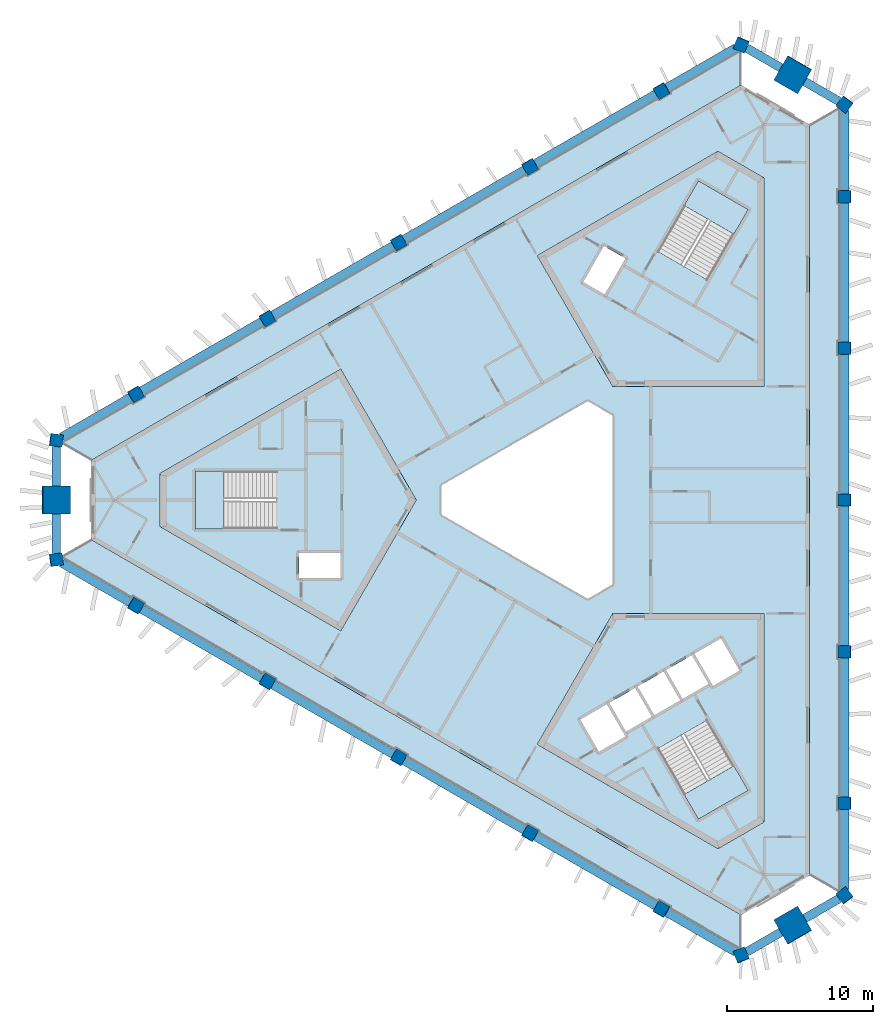
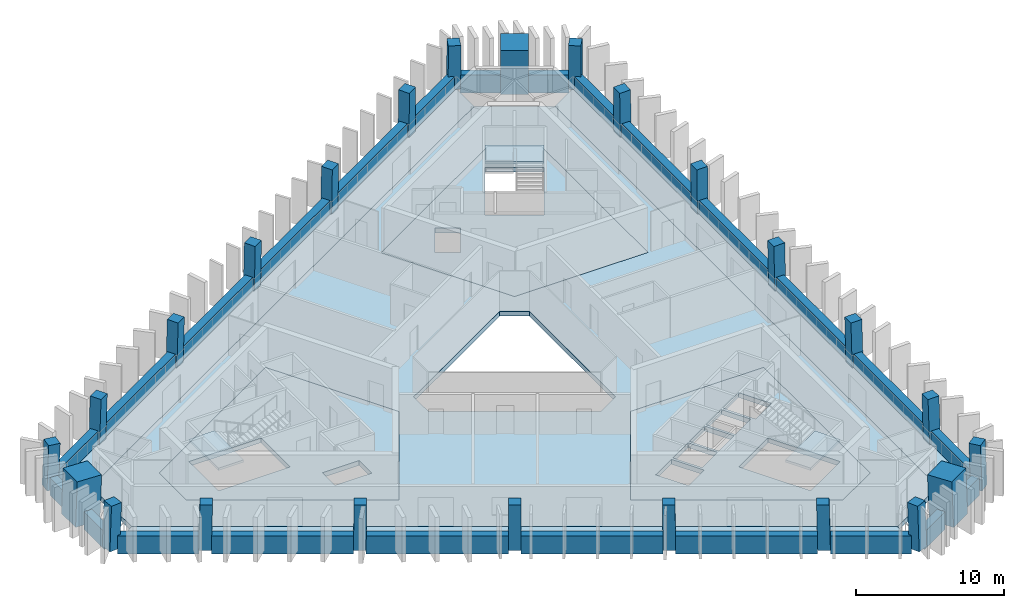
# One storey, part 1 of 9: 24 beams, 24 columns, 10 slabs, 3 elements without a shape of their own.
"""IFC4 building model written with IfcOpenShell, lengths in metres."""

from ifc_helpers import new_model, si_unit, direction, frame, origin, origin_2d, place, context, subcontext, project, spatial, polyline, rectangle, outline, extrude, material, layer, layer_set, material_profile, profile_set, type_object, element, aggregate, save


model = new_model("IFC4")

# Units and contexts
model_context = context("Model", 3, precision=1e-05, world=origin(), true_north=direction((0.0, 1.0)))
body_context = subcontext(model_context, "Body", "Model", "MODEL_VIEW")
ifc_project = project(units=[si_unit("LENGTHUNIT", "METRE"), si_unit("AREAUNIT", "SQUARE_METRE"), si_unit("VOLUMEUNIT", "CUBIC_METRE"), si_unit("PLANEANGLEUNIT", "RADIAN"), si_unit("MASSUNIT", "GRAM", prefix="KILO")], contexts=[model_context])

# Site, building, storey
site_placement = place(None, origin())
site = spatial("IfcSite", under=ifc_project, at=site_placement, CompositionType="ELEMENT")
building_placement = place(site_placement, origin())
building = spatial("IfcBuilding", under=site, at=building_placement, Name="Jabali Bay Hotel Tower and Convention Centre", CompositionType="ELEMENT")
storey_placement = place(building_placement, frame((0.0, 0.0, 209.5)))
storey = spatial("IfcBuildingStorey", under=building, at=storey_placement, Name="L51", CompositionType="ELEMENT", Elevation=209.5)

# Columns
ifc_material_1 = material(Name="Concrete C60", Category="concrete")
ifc_material_profile_1 = material_profile(ifc_material_1, rectangle(XDim=0.85009765625, YDim=0.85009765625, at=origin_2d()), Name="Frame column 850")
ifc_profile_set_1 = profile_set([ifc_material_profile_1], Name="Concrete C60")
column_type_1 = type_object("IfcColumnType", Name="Frame column 850", PredefinedType="COLUMN", material=ifc_profile_set_1)
column_1_placement = place(storey_placement, frame((82.844970703125, 108.115234375, 0.0), z_axis=(-0.008376454378, -0.028163354484, 0.999568237028), x_axis=(0.86585218107, 0.499844611273, 0.021339285781)))
element("IfcColumn", 1, at=column_1_placement, inside=storey, type_object=column_type_1, Name="FC5 F1.1 L51", PredefinedType="COLUMN", context=body_context, shape_type="SweptSolid", body=[
    extrude(rectangle(XDim=0.85009765625, YDim=0.85009765625, at=origin_2d()), origin(), (0.0, 0.0, 1.0), 3.70166015625),
])
column_2_placement = place(storey_placement, frame((73.81591796875, 102.90234375, 0.0), z_axis=(0.000857578916, -0.022824792675, 0.999739112668), x_axis=(0.866060437909, 0.499825470945, 0.010668480848)))
element("IfcColumn", 2, at=column_2_placement, inside=storey, type_object=column_type_1, Name="FC5 F1.2 L51", PredefinedType="COLUMN", context=body_context, shape_type="SweptSolid", body=[
    extrude(rectangle(XDim=0.85009765625, YDim=0.85009765625, at=origin_2d()), origin(), (0.0, 0.0, 1.0), 3.700927734375),
])
column_3_placement = place(storey_placement, frame((64.786865234375, 97.689453125, 0.0), z_axis=(0.010093620709, -0.017482414954, 0.999796221231), x_axis=(-0.499897086036, 0.865849517735, 0.020187025824)))
element("IfcColumn", 3, at=column_3_placement, inside=storey, type_object=column_type_1, Name="FC5 F1.3 L51", PredefinedType="COLUMN", context=body_context, shape_type="SweptSolid", body=[
    extrude(rectangle(XDim=0.85009765625, YDim=0.85009765625, at=origin_2d()), origin(), (0.0, 0.0, 1.0), 3.70068359375),
])
column_4_placement = place(storey_placement, frame((55.758056640625, 92.4765625, 0.0), z_axis=(0.019328516974, -0.012138044789, 0.999739504221), x_axis=(-0.500214302693, 0.865666432488, 0.020181155676)))
element("IfcColumn", 4, at=column_4_placement, inside=storey, type_object=column_type_1, Name="FC5 F1.4 L51", PredefinedType="COLUMN", context=body_context, shape_type="SweptSolid", body=[
    extrude(rectangle(XDim=0.85009765625, YDim=0.85009765625, at=origin_2d()), origin(), (0.0, 0.0, 1.0), 3.700927734375),
])
for number, where, z_axis, x_axis, name in (
    (5, (46.72900390625, 87.263671875, 0.0), (0.02855911485, -0.006793507689, 0.999569019734), (-0.50039805324, 0.86556025987, 0.020179812855), "FC5 F1.5 L51"),
    (6, (46.72900390625, 72.736328125, 0.0), (0.02855911485, 0.006793507689, 0.999569019734), (-0.865324312193, 0.500758709147, 0.021320176848), "FC5 F2.1 L51"),
):
    element("IfcColumn", number, at=place(storey_placement, frame(where, z_axis=z_axis, x_axis=x_axis)), inside=storey, type_object=column_type_1, Name=name, PredefinedType="COLUMN", context=body_context, shape_type="SweptSolid", body=[
        extrude(rectangle(XDim=0.85009765625, YDim=0.85009765625, at=origin_2d()), origin(), (0.0, 0.0, 1.0), 3.70166015625),
    ])
column_5_placement = place(storey_placement, frame((55.758056640625, 67.5234375, 0.0), z_axis=(0.019328516974, 0.012138044789, 0.999739504221), x_axis=(-0.865685889808, 0.500474070789, 0.010660424724)))
element("IfcColumn", 7, at=column_5_placement, inside=storey, type_object=column_type_1, Name="FC5 F2.2 L51", PredefinedType="COLUMN", context=body_context, shape_type="SweptSolid", body=[
    extrude(rectangle(XDim=0.85009765625, YDim=0.85009765625, at=origin_2d()), origin(), (0.0, 0.0, 1.0), 3.700927734375),
])
column_6_placement = place(storey_placement, frame((64.786865234375, 62.310546875, 0.0), z_axis=(0.010093620709, 0.017482414954, 0.999796221231), x_axis=(-0.866025993948, 0.499998977805, 1.48331e-07)))
element("IfcColumn", 8, at=column_6_placement, inside=storey, type_object=column_type_1, Name="FC5 F2.3 L51", PredefinedType="COLUMN", context=body_context, shape_type="SweptSolid", body=[
    extrude(rectangle(XDim=0.85009765625, YDim=0.85009765625, at=origin_2d()), origin(), (0.0, 0.0, 1.0), 3.70068359375),
])
column_7_placement = place(storey_placement, frame((73.81591796875, 57.09765625, 0.0), z_axis=(0.000857578916, 0.022824792675, 0.999739112668), x_axis=(-0.499938578675, -0.865825344647, 0.020196289724)))
element("IfcColumn", 9, at=column_7_placement, inside=storey, type_object=column_type_1, Name="FC5 F2.4 L51", PredefinedType="COLUMN", context=body_context, shape_type="SweptSolid", body=[
    extrude(rectangle(XDim=0.85009765625, YDim=0.85009765625, at=origin_2d()), origin(), (0.0, 0.0, 1.0), 3.700927734375),
])
for number, where, z_axis, x_axis, name in (
    (10, (82.844970703125, 51.884765625, 0.0), (-0.008376454378, 0.028163354484, 0.999568237028), (-0.500229782748, -0.865657085713, 0.020198376324), "FC5 F2.5 L51"),
    (11, (95.426025390625, 59.1484375, 0.0), (-0.020182631348, 0.021369844956, 0.999567902205), (-0.001315292007, -0.999771248084, 0.021347634776), "FC5 F0.1 L51"),
):
    element("IfcColumn", number, at=place(storey_placement, frame(where, z_axis=z_axis, x_axis=x_axis)), inside=storey, type_object=column_type_1, Name=name, PredefinedType="COLUMN", context=body_context, shape_type="SweptSolid", body=[
        extrude(rectangle(XDim=0.85009765625, YDim=0.85009765625, at=origin_2d()), origin(), (0.0, 0.0, 1.0), 3.70166015625),
    ])
column_8_placement = place(storey_placement, frame((95.426025390625, 69.57421875, 0.0), z_axis=(-0.020186088539, 0.010686752756, 0.999739123544), x_axis=(-0.001012906877, -0.999942577175, 0.010668475618)))
element("IfcColumn", 12, at=column_8_placement, inside=storey, type_object=column_type_1, Name="FC5 F0.2 L51", PredefinedType="COLUMN", context=body_context, shape_type="SweptSolid", body=[
    extrude(rectangle(XDim=0.85009765625, YDim=0.85009765625, at=origin_2d()), origin(), (0.0, 0.0, 1.0), 3.700927734375),
])
column_9_placement = place(storey_placement, frame((95.426025390625, 80.0, 0.0), z_axis=(-0.020187241331, 0.0, 0.99979621688), x_axis=(0.0, -1.0, 0.0)))
element("IfcColumn", 13, at=column_9_placement, inside=storey, type_object=column_type_1, Name="FC5 F0.3 L51", PredefinedType="COLUMN", context=body_context, shape_type="SweptSolid", body=[
    extrude(rectangle(XDim=0.85009765625, YDim=0.85009765625, at=origin_2d()), origin(), (0.0, 0.0, 1.0), 3.70068359375),
])
column_10_placement = place(storey_placement, frame((95.426025390625, 90.42578125, 0.0), z_axis=(-0.020186088539, -0.010686752756, 0.999739123544), x_axis=(0.999795727061, 0.00079728784, 0.020195754082)))
element("IfcColumn", 14, at=column_10_placement, inside=storey, type_object=column_type_1, Name="FC5 F0.4 L51", PredefinedType="COLUMN", context=body_context, shape_type="SweptSolid", body=[
    extrude(rectangle(XDim=0.85009765625, YDim=0.85009765625, at=origin_2d()), origin(), (0.0, 0.0, 1.0), 3.700927734375),
])
column_11_placement = place(storey_placement, frame((95.426025390625, 100.8515625, 0.0), z_axis=(-0.020182631348, -0.021369844956, 0.999567902205), x_axis=(0.999795444778, 0.000883872229, 0.020206122118)))
element("IfcColumn", 15, at=column_11_placement, inside=storey, type_object=column_type_1, Name="FC5 F0.5 L51", PredefinedType="COLUMN", context=body_context, shape_type="SweptSolid", body=[
    extrude(rectangle(XDim=0.85009765625, YDim=0.85009765625, at=origin_2d()), origin(), (0.0, 0.0, 1.0), 3.70166015625),
])
for number, where, z_axis, x_axis, name in (
    (16, (95.426025390625, 52.824462890625, 0.0), (-0.020178741915, 0.029015184452, 0.999375273581), (-0.799479544012, -0.6006919137, 0.001297505877), "FC5 V0 L51"),
    (17, (95.426025390625, 107.175537109375, 0.0), (-0.020178741915, -0.029015184452, 0.999375273581), (0.600354292964, 0.798953905984, 0.035318253532), "FC5 V1 L51"),
    (18, (88.321533203125, 111.27734375, 0.0), (-0.015035141917, -0.031982648376, 0.99937533225), (0.919986923559, -0.391946905995, 0.001297444353), "FC5 V2 L51"),
    (19, (41.25244140625, 84.101806640625, 0.0), (0.035148025093, -0.002967469286, 0.999377711608), (-0.992074631737, 0.120604364299, 0.035249289021), "FC5 V3 L51"),
    (20, (41.25244140625, 75.898193359375, 0.0), (0.035148025093, 0.002967469286, 0.999377711608), (-0.120633914785, 0.992696218104, 0.001295054224), "FC5 V4 L51"),
    (21, (88.321533203125, 48.72265625, 0.0), (-0.015035141917, 0.031982648376, 0.99937533225), (0.391660573697, -0.919431744657, 0.035316595642), "FC5 V5 L51"),
):
    element("IfcColumn", number, at=place(storey_placement, frame(where, z_axis=z_axis, x_axis=x_axis)), inside=storey, type_object=column_type_1, Name=name, PredefinedType="COLUMN", context=body_context, shape_type="SweptSolid", body=[
        extrude(rectangle(XDim=0.85009765625, YDim=0.85009765625, at=origin_2d()), origin(), (0.0, 0.0, 1.0), 3.7021484375),
    ])
ifc_material_2 = material(Name="Concrete C70", Category="concrete")
ifc_material_profile_2 = material_profile(ifc_material_2, rectangle(XDim=1.89990234375, YDim=1.89990234375, at=origin_2d()), Name="Mega column 1900")
ifc_profile_set_2 = profile_set([ifc_material_profile_2], Name="Concrete C70")
column_type_2 = type_object("IfcColumnType", Name="Mega column 1900", PredefinedType="COLUMN", material=ifc_profile_set_2)
for number, where, z_axis, x_axis, name in (
    (22, (91.873779296875, 109.226318359375, 0.0), (-0.017607037296, -0.030466109479, 0.999380712447), (0.86581098392, -0.500371202332, 2.457e-09), "MC5 M1 L51"),
    (23, (41.25244140625, 80.0, 0.0), (0.035148179849, 0.0, 0.999382111834), (0.0, 1.0, 0.0), "MC5 M0 L51"),
    (24, (91.873779296875, 50.773681640625, 0.0), (-0.017607037296, 0.030466109479, 0.999380712447), (0.500061328599, -0.865274797998, 0.035187946645), "MC5 M2 L51"),
):
    element("IfcColumn", number, at=place(storey_placement, frame(where, z_axis=z_axis, x_axis=x_axis)), inside=storey, type_object=column_type_2, Name=name, PredefinedType="COLUMN", context=body_context, shape_type="SweptSolid", body=[
        extrude(rectangle(XDim=1.89990234375, YDim=1.89990234375, at=origin_2d()), origin(), (0.0, 0.0, 1.0), 3.7021484375),
    ])

# Beams
ifc_material_profile_3 = material_profile(ifc_material_1, rectangle(XDim=0.60009765625, YDim=1.449951171875, at=origin_2d()), Name="Spandrel 600x1450")
ifc_profile_set_3 = profile_set([ifc_material_profile_3], Name="Concrete C60")
beam_type = type_object("IfcBeamType", Name="Spandrel 600x1450", PredefinedType="SPANDREL", material=ifc_profile_set_3)
beam_1_placement = place(storey_placement, frame((91.04443359375, 109.68994140625, 0.375), z_axis=(-0.86601851515, 0.500011931275, 0.0), x_axis=(-0.500011931275, -0.86601851515, 0.0)))
element("IfcBeam", 25, at=beam_1_placement, inside=storey, type_object=beam_type, Name="Spandrel M1-V2 L51", PredefinedType="SPANDREL", context=body_context, shape_type="SweptSolid", body=[
    extrude(rectangle(XDim=0.60009765625, YDim=1.449951171875, at=origin_2d()), origin(), (0.0, 0.0, 1.0), 2.7255859375),
])
beam_2_placement = place(storey_placement, frame((87.947998046875, 111.052734375, 0.375), z_axis=(-0.866029539139, -0.499992837287, 0.0), x_axis=(0.499992837287, -0.866029539139, 0.0)))
element("IfcBeam", 26, at=beam_2_placement, inside=storey, type_object=beam_type, Name="Spandrel V2-F1.1 L51", PredefinedType="SPANDREL", context=body_context, shape_type="SweptSolid", body=[
    extrude(rectangle(XDim=0.60009765625, YDim=1.449951171875, at=origin_2d()), origin(), (0.0, 0.0, 1.0), 5.47119140625),
])
beam_3_placement = place(storey_placement, frame((82.4736328125, 107.89208984375, 0.375), z_axis=(-0.866022904257, -0.500004329283, 0.0), x_axis=(0.500004329283, -0.866022904257, 0.0)))
element("IfcBeam", 27, at=beam_3_placement, inside=storey, type_object=beam_type, Name="Spandrel F1.1-F1.2 L51", PredefinedType="SPANDREL", context=body_context, shape_type="SweptSolid", body=[
    extrude(rectangle(XDim=0.60009765625, YDim=1.449951171875, at=origin_2d()), origin(), (0.0, 0.0, 1.0), 9.57177734375),
])
beam_4_placement = place(storey_placement, frame((73.4482421875, 102.681396484375, 0.375), z_axis=(-0.866029280787, -0.499993284775, 0.0), x_axis=(0.499993284775, -0.866029280787, 0.0)))
element("IfcBeam", 28, at=beam_4_placement, inside=storey, type_object=beam_type, Name="Spandrel F1.2-F1.3 L51", PredefinedType="SPANDREL", context=body_context, shape_type="SweptSolid", body=[
    extrude(rectangle(XDim=0.60009765625, YDim=1.449951171875, at=origin_2d()), origin(), (0.0, 0.0, 1.0), 9.572021484375),
])
for number, where, z_axis, x_axis, name in (
    (29, (64.422607421875, 97.470458984375, 0.375), (-0.866022904257, -0.500004329283, 0.0), (0.500004329283, -0.866022904257, 0.0), "Spandrel F1.3-F1.4 L51"),
    (30, (55.397216796875, 92.259521484375, 0.375), (-0.866022904257, -0.500004329283, 0.0), (0.500004329283, -0.866022904257, 0.0), "Spandrel F1.4-F1.5 L51"),
):
    element("IfcBeam", number, at=place(storey_placement, frame(where, z_axis=z_axis, x_axis=x_axis)), inside=storey, type_object=beam_type, Name=name, PredefinedType="SPANDREL", context=body_context, shape_type="SweptSolid", body=[
        extrude(rectangle(XDim=0.60009765625, YDim=1.449951171875, at=origin_2d()), origin(), (0.0, 0.0, 1.0), 9.57177734375),
    ])
beam_5_placement = place(storey_placement, frame((46.37158203125, 87.048828125, 0.375), z_axis=(-0.866018383238, -0.500012159746, 0.0), x_axis=(0.500012159746, -0.866018383238, 0.0)))
element("IfcBeam", 31, at=beam_5_placement, inside=storey, type_object=beam_type, Name="Spandrel F1.5-V3 L51", PredefinedType="SPANDREL", context=body_context, shape_type="SweptSolid", body=[
    extrude(rectangle(XDim=0.60009765625, YDim=1.449951171875, at=origin_2d()), origin(), (0.0, 0.0, 1.0), 5.470947265625),
])
for number, where, z_axis, x_axis, name in (
    (32, (41.265625, 83.67578125, 0.375), (0.0, -1.0, 0.0), (1.0, 0.0, 0.0), "Spandrel V3-M0 L51"),
    (33, (41.265625, 79.050048828125, 0.375), (0.0, -1.0, 0.0), (1.0, 0.0, 0.0), "Spandrel M0-V4 L51"),
):
    element("IfcBeam", number, at=place(storey_placement, frame(where, z_axis=z_axis, x_axis=x_axis)), inside=storey, type_object=beam_type, Name=name, PredefinedType="SPANDREL", context=body_context, shape_type="SweptSolid", body=[
        extrude(rectangle(XDim=0.60009765625, YDim=1.449951171875, at=origin_2d()), origin(), (0.0, 0.0, 1.0), 2.725830078125),
    ])
beam_6_placement = place(storey_placement, frame((41.633544921875, 75.686767578125, 0.375), z_axis=(0.866018383238, -0.500012159746, 0.0), x_axis=(0.500012159746, 0.866018383238, 0.0)))
element("IfcBeam", 34, at=beam_6_placement, inside=storey, type_object=beam_type, Name="Spandrel V4-F2.1 L51", PredefinedType="SPANDREL", context=body_context, shape_type="SweptSolid", body=[
    extrude(rectangle(XDim=0.60009765625, YDim=1.449951171875, at=origin_2d()), origin(), (0.0, 0.0, 1.0), 5.470947265625),
])
for number, where, z_axis, x_axis, name in (
    (35, (47.10791015625, 72.5263671875, 0.375), (0.866022904257, -0.500004329283, 0.0), (0.500004329283, 0.866022904257, 0.0), "Spandrel F2.1-F2.2 L51"),
    (36, (56.13330078125, 67.3154296875, 0.375), (0.866022904257, -0.500004329283, 0.0), (0.500004329283, 0.866022904257, 0.0), "Spandrel F2.2-F2.3 L51"),
):
    element("IfcBeam", number, at=place(storey_placement, frame(where, z_axis=z_axis, x_axis=x_axis)), inside=storey, type_object=beam_type, Name=name, PredefinedType="SPANDREL", context=body_context, shape_type="SweptSolid", body=[
        extrude(rectangle(XDim=0.60009765625, YDim=1.449951171875, at=origin_2d()), origin(), (0.0, 0.0, 1.0), 9.57177734375),
    ])
beam_7_placement = place(storey_placement, frame((65.15869140625, 62.1044921875, 0.375), z_axis=(0.866029280787, -0.499993284775, 0.0), x_axis=(0.499993284775, 0.866029280787, 0.0)))
element("IfcBeam", 37, at=beam_7_placement, inside=storey, type_object=beam_type, Name="Spandrel F2.3-F2.4 L51", PredefinedType="SPANDREL", context=body_context, shape_type="SweptSolid", body=[
    extrude(rectangle(XDim=0.60009765625, YDim=1.449951171875, at=origin_2d()), origin(), (0.0, 0.0, 1.0), 9.572021484375),
])
beam_8_placement = place(storey_placement, frame((74.184326171875, 56.893798828125, 0.375), z_axis=(0.866022904257, -0.500004329283, 0.0), x_axis=(0.500004329283, 0.866022904257, 0.0)))
element("IfcBeam", 38, at=beam_8_placement, inside=storey, type_object=beam_type, Name="Spandrel F2.4-F2.5 L51", PredefinedType="SPANDREL", context=body_context, shape_type="SweptSolid", body=[
    extrude(rectangle(XDim=0.60009765625, YDim=1.449951171875, at=origin_2d()), origin(), (0.0, 0.0, 1.0), 9.57177734375),
])
beam_9_placement = place(storey_placement, frame((83.209716796875, 51.682861328125, 0.375), z_axis=(0.866029539139, -0.499992837287, 0.0), x_axis=(0.499992837287, 0.866029539139, 0.0)))
element("IfcBeam", 39, at=beam_9_placement, inside=storey, type_object=beam_type, Name="Spandrel F2.5-V5 L51", PredefinedType="SPANDREL", context=body_context, shape_type="SweptSolid", body=[
    extrude(rectangle(XDim=0.60009765625, YDim=1.449951171875, at=origin_2d()), origin(), (0.0, 0.0, 1.0), 5.47119140625),
])
beam_10_placement = place(storey_placement, frame((88.68408203125, 48.947265625, 0.375), z_axis=(0.86601851515, 0.500011931275, 0.0), x_axis=(-0.500011931275, 0.86601851515, 0.0)))
element("IfcBeam", 40, at=beam_10_placement, inside=storey, type_object=beam_type, Name="Spandrel V5-M2 L51", PredefinedType="SPANDREL", context=body_context, shape_type="SweptSolid", body=[
    extrude(rectangle(XDim=0.60009765625, YDim=1.449951171875, at=origin_2d()), origin(), (0.0, 0.0, 1.0), 2.7255859375),
])
beam_11_placement = place(storey_placement, frame((92.68994140625, 51.260009765625, 0.375), z_axis=(0.866002123639, 0.500040320227, 0.0), x_axis=(-0.500040320227, 0.866002123639, 0.0)))
element("IfcBeam", 41, at=beam_11_placement, inside=storey, type_object=beam_type, Name="Spandrel M2-V0 L51", PredefinedType="SPANDREL", context=body_context, shape_type="SweptSolid", body=[
    extrude(rectangle(XDim=0.60009765625, YDim=1.449951171875, at=origin_2d()), origin(), (0.0, 0.0, 1.0), 2.725830078125),
])
beam_12_placement = place(storey_placement, frame((95.41845703125, 53.260498046875, 0.375), z_axis=(0.0, 1.0, 0.0), x_axis=(-1.0, 0.0, 0.0)))
element("IfcBeam", 42, at=beam_12_placement, inside=storey, type_object=beam_type, Name="Spandrel V0-F0.1 L51", PredefinedType="SPANDREL", context=body_context, shape_type="SweptSolid", body=[
    extrude(rectangle(XDim=0.60009765625, YDim=1.449951171875, at=origin_2d()), origin(), (0.0, 0.0, 1.0), 5.470947265625),
])
for number, where, z_axis, x_axis, name in (
    (43, (95.41845703125, 59.58154296875, 0.375), (0.0, 1.0, 0.0), (-1.0, 0.0, 0.0), "Spandrel F0.1-F0.2 L51"),
    (44, (95.41845703125, 70.003173828125, 0.375), (0.0, 1.0, 0.0), (-1.0, 0.0, 0.0), "Spandrel F0.2-F0.3 L51"),
    (45, (95.41845703125, 80.425048828125, 0.375), (0.0, 1.0, 0.0), (-1.0, 0.0, 0.0), "Spandrel F0.3-F0.4 L51"),
    (46, (95.41845703125, 90.8466796875, 0.375), (0.0, 1.0, 0.0), (-1.0, 0.0, 0.0), "Spandrel F0.4-F0.5 L51"),
):
    element("IfcBeam", number, at=place(storey_placement, frame(where, z_axis=z_axis, x_axis=x_axis)), inside=storey, type_object=beam_type, Name=name, PredefinedType="SPANDREL", context=body_context, shape_type="SweptSolid", body=[
        extrude(rectangle(XDim=0.60009765625, YDim=1.449951171875, at=origin_2d()), origin(), (0.0, 0.0, 1.0), 9.57177734375),
    ])
beam_13_placement = place(storey_placement, frame((95.41845703125, 101.2685546875, 0.375), z_axis=(0.0, 1.0, 0.0), x_axis=(-1.0, 0.0, 0.0)))
element("IfcBeam", 47, at=beam_13_placement, inside=storey, type_object=beam_type, Name="Spandrel F0.5-V1 L51", PredefinedType="SPANDREL", context=body_context, shape_type="SweptSolid", body=[
    extrude(rectangle(XDim=0.60009765625, YDim=1.449951171875, at=origin_2d()), origin(), (0.0, 0.0, 1.0), 5.470947265625),
])
beam_14_placement = place(storey_placement, frame((95.050537109375, 107.376953125, 0.375), z_axis=(-0.866002123639, 0.500040320227, 0.0), x_axis=(-0.500040320227, -0.866002123639, 0.0)))
element("IfcBeam", 48, at=beam_14_placement, inside=storey, type_object=beam_type, Name="Spandrel V1-M1 L51", PredefinedType="SPANDREL", context=body_context, shape_type="SweptSolid", body=[
    extrude(rectangle(XDim=0.60009765625, YDim=1.449951171875, at=origin_2d()), origin(), (0.0, 0.0, 1.0), 2.725830078125),
])

# Slabs
ifc_material_3 = material(Name="Concrete C40", Category="concrete")
ifc_layer_1 = layer(ifc_material_3, 0.39990234375)
ifc_layer_set_1 = layer_set([ifc_layer_1], Name="Concrete C40")
slab_type_1 = type_object("IfcSlabType", Name="Core floor slab 400", PredefinedType="FLOOR", material=ifc_layer_set_1)
slab_1_placement = place(storey_placement, frame((0.0, 0.0, -0.39990234375)))
element("IfcSlab", 49, at=slab_1_placement, inside=storey, type_object=slab_type_1, Name="Core floor slab 1 L51", PredefinedType="FLOOR", context=body_context, shape_type="SweptSolid", body=[
    extrude(outline(polyline([(66.0, 80.0), (60.81005859375, 88.9892578125), (48.39697265625, 81.82275390625), (48.39697265625, 78.17724609375), (60.81005859375, 71.0107421875), (66.0, 80.0)]), holes=[polyline([(60.800048828125, 76.35009765625), (57.949951171875, 76.35009765625), (57.949951171875, 74.64990234375), (60.800048828125, 74.64990234375), (60.800048828125, 76.35009765625)]), polyline([(50.820068359375, 81.97509765625), (50.820068359375, 78.02490234375), (56.409912109375, 78.02490234375), (56.409912109375, 81.97509765625), (50.820068359375, 81.97509765625)])]), origin(), (0.0, 0.0, 1.0), 0.39990234375),
])
slab_2_placement = place(storey_placement, frame((0.0, 0.0, -0.39990234375)))
element("IfcSlab", 50, at=slab_2_placement, inside=storey, type_object=slab_type_1, Name="Core floor slab 2 L51", PredefinedType="FLOOR", context=body_context, shape_type="SweptSolid", body=[
    extrude(outline(polyline([(79.5, 87.794189453125), (89.8798828125, 87.794189453125), (89.8798828125, 102.127685546875), (86.72314453125, 103.9501953125), (74.31005859375, 96.78369140625), (79.5, 87.794189453125)]), holes=[polyline([(78.93896484375, 94.12255859375), (80.364013671875, 96.5908203125), (78.891845703125, 97.440673828125), (77.466796875, 94.97265625), (78.93896484375, 94.12255859375)]), polyline([(88.80029296875, 99.952880859375), (85.379638671875, 101.927978515625), (82.584716796875, 97.0869140625), (86.00537109375, 95.11181640625), (88.80029296875, 99.952880859375)])]), origin(), (0.0, 0.0, 1.0), 0.39990234375),
])
slab_3_placement = place(storey_placement, frame((0.0, 0.0, -0.39990234375)))
element("IfcSlab", 51, at=slab_3_placement, inside=storey, type_object=slab_type_1, Name="Core floor slab 3 L51", PredefinedType="FLOOR", context=body_context, shape_type="SweptSolid", body=[
    extrude(outline(polyline([(79.5, 72.205810546875), (74.31005859375, 63.21630859375), (86.72314453125, 56.0498046875), (89.8798828125, 57.872314453125), (89.8798828125, 72.205810546875), (79.5, 72.205810546875)]), holes=[polyline([(82.584716796875, 62.9130859375), (85.379638671875, 58.072021484375), (88.80029296875, 60.047119140625), (86.00537109375, 64.88818359375), (82.584716796875, 62.9130859375)]), polyline([(80.365478515625, 63.756591796875), (79.090576171875, 65.96484375), (77.27197265625, 64.9150390625), (78.546875, 62.70654296875), (80.365478515625, 63.756591796875)]), polyline([(82.17919921875, 65.115478515625), (81.0390625, 67.08984375), (79.263671875, 66.06494140625), (80.40380859375, 64.09033203125), (82.17919921875, 65.115478515625)]), polyline([(82.98779296875, 68.21484375), (81.21240234375, 67.18994140625), (82.352294921875, 65.21533203125), (84.127685546875, 66.240478515625), (82.98779296875, 68.21484375)]), polyline([(86.076171875, 67.365478515625), (84.936279296875, 69.33984375), (83.160888671875, 68.31494140625), (84.30078125, 66.34033203125), (86.076171875, 67.365478515625)]), polyline([(88.203125, 68.281494140625), (86.927978515625, 70.489990234375), (85.109375, 69.43994140625), (86.384521484375, 67.231689453125), (88.203125, 68.281494140625)])]), origin(), (0.0, 0.0, 1.0), 0.39990234375),
])
ifc_layer_2 = layer(ifc_material_3, 0.199951171875)
ifc_layer_set_2 = layer_set([ifc_layer_2], Name="Concrete C40")
slab_type_2 = type_object("IfcSlabType", Name="Loggia slab 200", PredefinedType="FLOOR", material=ifc_layer_set_2)
slab_4_placement = place(storey_placement, frame((0.0, 0.0, -0.199951171875)))
element("IfcSlab", 52, at=slab_4_placement, inside=storey, type_object=slab_type_2, Name="Loggia slab east face L51", PredefinedType="FLOOR", context=body_context, shape_type="SweptSolid", body=[
    extrude(outline(polyline([(93.026123046875, 105.789794921875), (95.026123046875, 106.944580078125), (95.1259765625, 106.869384765625), (95.1259765625, 101.2763671875), (95.0009765625, 101.2763671875), (95.0009765625, 100.426513671875), (95.1259765625, 100.426513671875), (95.1259765625, 90.850830078125), (95.0009765625, 90.850830078125), (95.0009765625, 90.000732421875), (95.1259765625, 90.000732421875), (95.1259765625, 80.425048828125), (95.0009765625, 80.425048828125), (95.0009765625, 79.574951171875), (95.1259765625, 79.574951171875), (95.1259765625, 69.999267578125), (95.0009765625, 69.999267578125), (95.0009765625, 69.149169921875), (95.1259765625, 69.149169921875), (95.1259765625, 59.573486328125), (95.0009765625, 59.573486328125), (95.0009765625, 58.7236328125), (95.1259765625, 58.7236328125), (95.1259765625, 53.130615234375), (95.026123046875, 53.055419921875), (93.026123046875, 54.210205078125), (93.026123046875, 105.789794921875)])), origin(), (0.0, 0.0, 1.0), 0.199951171875),
])
slab_5_placement = place(storey_placement, frame((0.0, 0.0, -0.199951171875)))
element("IfcSlab", 53, at=slab_5_placement, inside=storey, type_object=slab_type_2, Name="Loggia slab north-west face L51", PredefinedType="FLOOR", context=body_context, shape_type="SweptSolid", body=[
    extrude(outline(polyline([(43.65234375, 82.716064453125), (41.65234375, 83.870849609375), (41.66748046875, 83.9951171875), (46.510986328125, 86.79150390625), (46.573486328125, 86.68310546875), (47.3095703125, 87.108154296875), (47.2470703125, 87.216552734375), (55.5400390625, 92.00439453125), (55.6025390625, 91.89599609375), (56.338623046875, 92.321044921875), (56.276123046875, 92.429443359375), (64.56884765625, 97.21728515625), (64.63134765625, 97.10888671875), (65.367431640625, 97.533935546875), (65.304931640625, 97.64208984375), (73.597900390625, 102.43017578125), (73.660400390625, 102.32177734375), (74.396484375, 102.746826171875), (74.333984375, 102.85498046875), (82.626708984375, 107.642822265625), (82.689208984375, 107.53466796875), (83.425537109375, 107.959716796875), (83.363037109375, 108.06787109375), (88.20654296875, 110.8642578125), (88.321533203125, 110.815185546875), (88.321533203125, 108.505859375), (43.65234375, 82.716064453125)])), origin(), (0.0, 0.0, 1.0), 0.199951171875),
])
slab_6_placement = place(storey_placement, frame((0.0, 0.0, -0.199951171875)))
element("IfcSlab", 54, at=slab_6_placement, inside=storey, type_object=slab_type_2, Name="Loggia slab south-west face L51", PredefinedType="FLOOR", context=body_context, shape_type="SweptSolid", body=[
    extrude(outline(polyline([(88.321533203125, 51.494140625), (88.321533203125, 49.184814453125), (88.20654296875, 49.1357421875), (83.363037109375, 51.93212890625), (83.425537109375, 52.040283203125), (82.689208984375, 52.46533203125), (82.626708984375, 52.357177734375), (74.333984375, 57.14501953125), (74.396484375, 57.253173828125), (73.660400390625, 57.67822265625), (73.597900390625, 57.56982421875), (65.304931640625, 62.35791015625), (65.367431640625, 62.466064453125), (64.63134765625, 62.89111328125), (64.56884765625, 62.78271484375), (56.276123046875, 67.570556640625), (56.338623046875, 67.678955078125), (55.6025390625, 68.10400390625), (55.5400390625, 67.99560546875), (47.2470703125, 72.783447265625), (47.3095703125, 72.891845703125), (46.573486328125, 73.31689453125), (46.510986328125, 73.20849609375), (41.66748046875, 76.0048828125), (41.65234375, 76.129150390625), (43.65234375, 77.283935546875), (88.321533203125, 51.494140625)])), origin(), (0.0, 0.0, 1.0), 0.199951171875),
])
ifc_layer_3 = layer(ifc_material_3, 0.39990234375)
ifc_layer_set_3 = layer_set([ifc_layer_3], Name="Concrete C40")
slab_type_3 = type_object("IfcSlabType", Name="Post-tensioned flat slab 400", PredefinedType="FLOOR", material=ifc_layer_set_3)
slab_7_placement = place(storey_placement, frame((0.0, 0.0, -0.39990234375)))
element("IfcSlab", 55, at=slab_7_placement, inside=storey, type_object=slab_type_3, Name="Floor slab L51", PredefinedType="FLOOR", context=body_context, shape_type="SweptSolid", body=[
    extrude(outline(polyline([(88.321533203125, 108.505859375), (93.026123046875, 105.789794921875), (93.026123046875, 54.210205078125), (88.321533203125, 51.494140625), (43.65234375, 77.283935546875), (43.65234375, 82.716064453125), (88.321533203125, 108.505859375)]), holes=[polyline([(67.73193359375, 79.0), (77.76806640625, 73.205810546875), (79.5, 74.205810546875), (79.5, 85.794189453125), (77.76806640625, 86.794189453125), (67.73193359375, 81.0), (67.73193359375, 79.0)]), polyline([(48.39697265625, 78.17724609375), (60.81005859375, 71.0107421875), (66.0, 80.0), (60.81005859375, 88.9892578125), (48.39697265625, 81.82275390625), (48.39697265625, 78.17724609375)]), polyline([(89.8798828125, 102.127685546875), (86.72314453125, 103.9501953125), (74.31005859375, 96.78369140625), (79.5, 87.794189453125), (89.8798828125, 87.794189453125), (89.8798828125, 102.127685546875)]), polyline([(74.31005859375, 63.21630859375), (86.72314453125, 56.0498046875), (89.8798828125, 57.872314453125), (89.8798828125, 72.205810546875), (79.5, 72.205810546875), (74.31005859375, 63.21630859375)])]), origin(), (0.0, 0.0, 1.0), 0.39990234375),
])

# Stair, slab
stair_type = type_object("IfcStairType", Name="Exit stair 1900", PredefinedType="HALF_TURN_STAIR", material=ifc_material_3)
stair_1_placement = place(storey_placement, origin())
stair_1 = element("IfcStair", 56, at=stair_1_placement, inside=storey, type_object=stair_type, Name="L51 Exit Stair 1", PredefinedType="HALF_TURN_STAIR")
ifc_layer_4 = layer(ifc_material_3, 0.199951171875)
ifc_layer_set_4 = layer_set([ifc_layer_4], Name="Concrete C40")
slab_type_4 = type_object("IfcSlabType", Name="Stair landing 200", PredefinedType="LANDING", material=ifc_layer_set_4)
slab_8_placement = place(storey_placement, frame((0.0, 0.0, 1.64990234375)))
slab_8 = element("IfcSlab", 57, at=slab_8_placement, type_object=slab_type_4, Name="ST1 landing 1", PredefinedType="LANDING", context=body_context, shape_type="SweptSolid", body=[
    extrude(outline(polyline([(52.782958984375, 81.97509765625), (50.820068359375, 81.97509765625), (50.820068359375, 78.02490234375), (52.782958984375, 78.02490234375), (52.782958984375, 81.97509765625)])), origin(), (0.0, 0.0, 1.0), 0.2001953125),
])
aggregate(stair_1, [slab_8])

stair_2_placement = place(storey_placement, origin())
stair_2 = element("IfcStair", 58, at=stair_2_placement, inside=storey, type_object=stair_type, Name="L51 Exit Stair 2", PredefinedType="HALF_TURN_STAIR")
slab_9_placement = place(storey_placement, frame((0.0, 0.0, 1.64990234375)))
slab_9 = element("IfcSlab", 59, at=slab_9_placement, type_object=slab_type_4, Name="ST2 landing 1", PredefinedType="LANDING", context=body_context, shape_type="SweptSolid", body=[
    extrude(outline(polyline([(87.81884765625, 98.2529296875), (88.80029296875, 99.952880859375), (85.379638671875, 101.927978515625), (84.398193359375, 100.22802734375), (87.81884765625, 98.2529296875)])), origin(), (0.0, 0.0, 1.0), 0.2001953125),
])
aggregate(stair_2, [slab_9])

stair_3_placement = place(storey_placement, origin())
stair_3 = element("IfcStair", 60, at=stair_3_placement, inside=storey, type_object=stair_type, Name="L51 Exit Stair 3", PredefinedType="HALF_TURN_STAIR")
slab_10_placement = place(storey_placement, frame((0.0, 0.0, 1.64990234375)))
slab_10 = element("IfcSlab", 61, at=slab_10_placement, type_object=slab_type_4, Name="ST3 landing 1", PredefinedType="LANDING", context=body_context, shape_type="SweptSolid", body=[
    extrude(outline(polyline([(84.398193359375, 59.77197265625), (85.379638671875, 58.072021484375), (88.80029296875, 60.047119140625), (87.81884765625, 61.7470703125), (84.398193359375, 59.77197265625)])), origin(), (0.0, 0.0, 1.0), 0.2001953125),
])
aggregate(stair_3, [slab_10])

save(model, "model.ifc")
